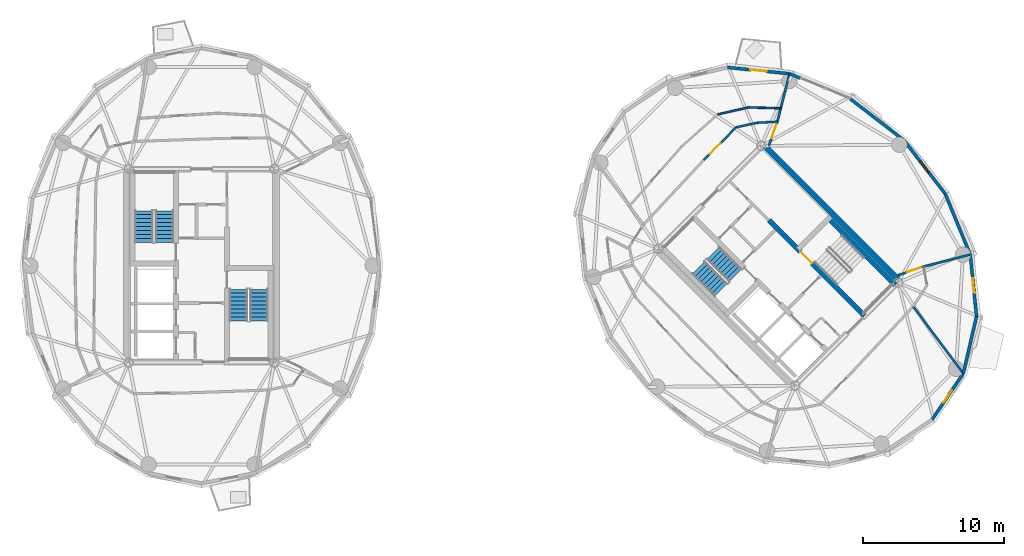
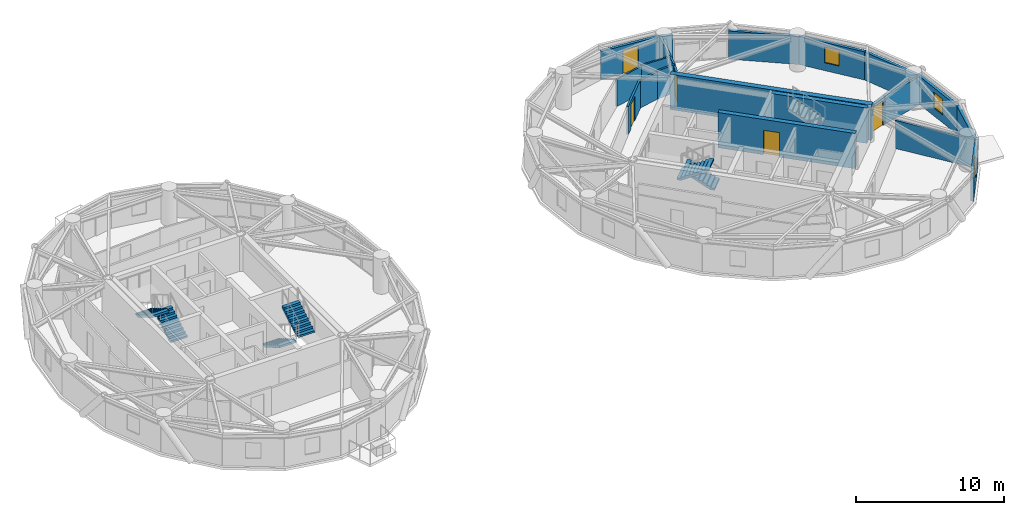
# One storey, part 12 of 16: 21 walls, 6 stair flights, 5 doors, 3 windows, 8 openings, 3 elements without a shape of their own.
"""IFC4 building model written with IfcOpenShell, lengths in metres."""

from ifc_helpers import new_model, si_unit, direction, frame, frame_2d, origin, place, context, subcontext, project, spatial, polyline, rectangle, outline, extrude, source, transform, mapped, material, layer, layer_set, type_object, element, fill, aggregate, save


model = new_model("IFC4")

# Units and contexts
model_context = context("Model", 3, precision=1e-05, world=origin(), true_north=direction((0.0, 1.0)))
body_context = subcontext(model_context, "Body", "Model", "MODEL_VIEW")
ifc_project = project(units=[si_unit("LENGTHUNIT", "METRE"), si_unit("AREAUNIT", "SQUARE_METRE"), si_unit("VOLUMEUNIT", "CUBIC_METRE"), si_unit("PLANEANGLEUNIT", "RADIAN"), si_unit("MASSUNIT", "GRAM", prefix="KILO")], contexts=[model_context])

# Site, building, storey
site_placement = place(None, origin())
site = spatial("IfcSite", under=ifc_project, at=site_placement, CompositionType="ELEMENT")
building_placement = place(site_placement, origin())
building = spatial("IfcBuilding", under=site, at=building_placement, Name="Cununo Teusaquillo Station Towers", CompositionType="ELEMENT")
storey_placement = place(building_placement, frame((0.0, 0.0, 217.030029296875)))
storey = spatial("IfcBuildingStorey", under=building, at=storey_placement, Name="L69", CompositionType="ELEMENT", Elevation=217.030029296875)

# Wall, opening, door
ifc_material_1 = material(Name="Concrete C50/60", Category="concrete")
ifc_layer_1 = layer(ifc_material_1, 0.35009765625)
ifc_layer_set_1 = layer_set([ifc_layer_1], Name="Concrete C50/60")
wall_type_1 = type_object("IfcWallType", Name="WL-CORE-350", PredefinedType="SHEAR", material=ifc_layer_set_1)
wall_1_placement = place(storey_placement, frame((63.627197265625, 20.939697265625, 0.0), z_axis=(0.0, 0.0, 1.0), x_axis=(-0.707119496762, 0.707094065383, 0.0)))
wall_1 = element("IfcWall", 1, at=wall_1_placement, inside=storey, type_object=wall_type_1, Name="L69 Tower B Core Shear Wall IE", PredefinedType="SHEAR", context=body_context, shape_type="SweptSolid", body=[
    extrude(rectangle(XDim=9.60009765625, YDim=0.35009765625, at=frame_2d((4.800048828125, 0.0))), origin(), (0.0, 0.0, 1.0), 2.909912109375),
])
shared_shape_1 = source(origin(), body_context, "Body", "SweptSolid", [
    extrude(rectangle(XDim=1.14990234375, YDim=2.02001953125, at=frame_2d((0.574951171875, 1.010009765625))), frame((0.0, 0.18505859375, 0.0), z_axis=(0.0, -1.0, 0.0), x_axis=(1.0, 0.0, 0.0)), (0.0, 0.0, 1.0), 0.3701171875),
])
opening_1_placement = place(wall_1_placement, frame((5.280029296875, 0.0, 0.0)))
opening_1 = element("IfcOpeningElement", 2, at=opening_1_placement, cuts=wall_1, Name="Opening D-ST1", PredefinedType="OPENING", context=body_context, shape_type="MappedRepresentation", body=[
    mapped(shared_shape_1, transform((0.0, 0.0, 0.0), x_axis=(1.0, 0.0, 0.0), y_axis=(0.0, 1.0, 0.0), z_axis=(0.0, 0.0, 1.0), scale=1.0)),
])
ifc_material_2 = material(Name="Galvanised fire-rated hollow steel door assembly", Category="steel")
door_type_1 = type_object("IfcDoorType", Name="DR-STAIR-1150", OperationType="NOTDEFINED", PredefinedType="DOOR", material=ifc_material_2)
shared_shape_2 = source(origin(), body_context, "Body", "SweptSolid", [
    extrude(rectangle(XDim=1.14990234375, YDim=2.02001953125, at=frame_2d((0.574951171875, 1.010009765625))), frame((0.0, 0.02490234375, 0.0), z_axis=(0.0, -1.0, 0.0), x_axis=(1.0, 0.0, 0.0)), (0.0, 0.0, 1.0), 0.050048828125),
])
door_1_placement = place(opening_1_placement, origin())
door_1 = element("IfcDoor", 3, at=door_1_placement, inside=storey, type_object=door_type_1, Name="L69 Tower B Exit Stair 2 Fire Door", OperationType="SINGLE_SWING_RIGHT", OverallHeight=2.02001953125, OverallWidth=1.14990234375, PredefinedType="DOOR", context=body_context, shape_type="MappedRepresentation", body=[
    mapped(shared_shape_2, transform((0.0, 0.0, 0.0), x_axis=(1.0, 0.0, 0.0), y_axis=(0.0, 1.0, 0.0), z_axis=(0.0, 0.0, 1.0), scale=1.0)),
])
fill(opening_1, door_1)

# Walls
wall_2_placement = place(storey_placement, frame((65.81201171875, 23.124755859375, 0.0), z_axis=(0.0, 0.0, 1.0), x_axis=(-0.707106781187, 0.707106781187, 0.0)))
element("IfcWall", 4, at=wall_2_placement, inside=storey, type_object=wall_type_1, Name="L69 Tower B Core Shear Wall ST2E", PredefinedType="SHEAR", context=body_context, shape_type="SweptSolid", body=[
    extrude(rectangle(XDim=6.695068359375, YDim=0.35009765625, at=frame_2d((3.34765625, 0.0))), origin(), (0.0, 0.0, 1.0), 2.909912109375),
])
ifc_material_3 = material(Name="Concrete C50/60", Category="concrete")
ifc_layer_2 = layer(ifc_material_3, 0.39990234375)
ifc_layer_set_2 = layer_set([ifc_layer_2], Name="Concrete C50/60")
wall_type_2 = type_object("IfcWallType", Name="WL-CORE-400", PredefinedType="SHEAR", material=ifc_layer_set_2)
wall_3_placement = place(storey_placement, frame((66.26806640625, 23.2978515625, 0.0), z_axis=(0.0, 0.0, 1.0), x_axis=(-0.707106781187, 0.707106781187, 0.0)))
element("IfcWall", 5, at=wall_3_placement, inside=storey, type_object=wall_type_2, Name="L69 Tower B Core Shear Wall E", PredefinedType="SHEAR", context=body_context, shape_type="SweptSolid", body=[
    extrude(rectangle(XDim=14.10009765625, YDim=0.39990234375, at=frame_2d((7.050048828125, 0.0))), origin(), (0.0, 0.0, 1.0), 2.909912109375),
])
ifc_material_4 = material(Name="Precast concrete C40/50", Category="concrete")
ifc_layer_3 = layer(ifc_material_4, 0.219970703125)
ifc_layer_set_3 = layer_set([ifc_layer_3], Name="Precast concrete C40/50")
wall_type_3 = type_object("IfcWallType", Name="WL-EXT-220", PredefinedType="SOLIDWALL", material=ifc_layer_set_3)
wall_4_placement = place(storey_placement, frame((62.61328125, 36.373779296875, 0.0), z_axis=(0.0, 0.0, 1.0), x_axis=(0.791998462147, -0.610523083886, 0.0)))
element("IfcWall", 6, at=wall_4_placement, inside=storey, type_object=wall_type_3, Name="L69 Tower B Exterior Facade Wall C00", PredefinedType="SOLIDWALL", context=body_context, shape_type="SweptSolid", body=[
    extrude(rectangle(XDim=4.8203125, YDim=0.219970703125, at=frame_2d((2.41015625, 0.0))), origin(), (0.0, 0.0, 1.0), 2.322021484375),
])
wall_5_placement = place(storey_placement, frame((58.29541015625, 38.15478515625, 0.0), z_axis=(0.0, 0.0, 1.0), x_axis=(0.924515260676, -0.381145028536, 0.0)))
element("IfcWall", 7, at=wall_5_placement, inside=storey, type_object=wall_type_3, Name="L69 Tower B Column Pier Cladding Wall C01-PA", PredefinedType="SOLIDWALL", context=body_context, shape_type="SweptSolid", body=[
    extrude(rectangle(XDim=0.869873046875, YDim=0.219970703125, at=frame_2d((0.43505859375, 0.0))), origin(), (0.0, 0.0, 1.0), 2.322021484375),
])

# Wall, opening, door
wall_6_placement = place(storey_placement, frame((53.899658203125, 38.59912109375, 0.0), z_axis=(0.0, 0.0, 1.0), x_axis=(0.994929930991, -0.100570534541, 0.0)))
wall_6 = element("IfcWall", 8, at=wall_6_placement, inside=storey, type_object=wall_type_3, Name="L69 Tower B Exterior Facade Wall C02", PredefinedType="SOLIDWALL", context=body_context, shape_type="SweptSolid", body=[
    extrude(rectangle(XDim=4.418212890625, YDim=0.219970703125, at=frame_2d((2.208984375, 0.0))), origin(), (0.0, 0.0, 1.0), 2.322021484375),
])
shared_shape_3 = source(origin(), body_context, "Body", "SweptSolid", [
    extrude(rectangle(XDim=1.14990234375, YDim=2.0048828125, at=frame_2d((0.574951171875, 1.00244140625))), frame((0.0, 0.119873046875, 0.0), z_axis=(0.0, -1.0, 0.0), x_axis=(1.0, 0.0, 0.0)), (0.0, 0.0, 1.0), 0.239990234375),
])
opening_2_placement = place(wall_6_placement, frame((1.634033203125, 0.0, 0.0)))
opening_2 = element("IfcOpeningElement", 9, at=opening_2_placement, cuts=wall_6, Name="Opening ED-03", PredefinedType="OPENING", context=body_context, shape_type="MappedRepresentation", body=[
    mapped(shared_shape_3, transform((0.0, 0.0, 0.0), x_axis=(1.0, 0.0, 0.0), y_axis=(0.0, 1.0, 0.0), z_axis=(0.0, 0.0, 1.0), scale=1.0)),
])
ifc_material_5 = material(Name="Anodised dark bronze aluminium EN AW-6063-T6", Category="aluminium")
door_type_2 = type_object("IfcDoorType", Name="DR-EXT-BAL", OperationType="NOTDEFINED", PredefinedType="DOOR", material=ifc_material_5)
shared_shape_4 = source(origin(), body_context, "Body", "SweptSolid", [
    extrude(rectangle(XDim=1.14990234375, YDim=2.0048828125, at=frame_2d((0.574951171875, 1.00244140625))), frame((0.0, 0.02490234375, 0.0), z_axis=(0.0, -1.0, 0.0), x_axis=(1.0, 0.0, 0.0)), (0.0, 0.0, 1.0), 0.050048828125),
])
door_2_placement = place(opening_2_placement, origin())
door_2 = element("IfcDoor", 10, at=door_2_placement, inside=storey, type_object=door_type_2, Name="L69 Tower B Tree Balcony Door C02", OperationType="SINGLE_SWING_LEFT", OverallHeight=2.0048828125, OverallWidth=1.14990234375, PredefinedType="DOOR", context=body_context, shape_type="MappedRepresentation", body=[
    mapped(shared_shape_4, transform((0.0, 0.0, 0.0), x_axis=(1.0, 0.0, 0.0), y_axis=(0.0, 1.0, 0.0), z_axis=(0.0, 0.0, 1.0), scale=1.0)),
])
fill(opening_2, door_2)

# Wall, opening, window
wall_7_placement = place(storey_placement, frame((70.663330078125, 16.856201171875, 0.0), z_axis=(0.0, 0.0, 1.0), x_axis=(-0.559495003079, -0.828833723692, 0.0)))
wall_7 = element("IfcWall", 11, at=wall_7_placement, inside=storey, type_object=wall_type_3, Name="L69 Tower B Exterior Facade Wall C15", PredefinedType="SOLIDWALL", context=body_context, shape_type="SweptSolid", body=[
    extrude(rectangle(XDim=3.9755859375, YDim=0.219970703125, at=frame_2d((1.98779296875, 0.0))), origin(), (0.0, 0.0, 1.0), 2.322021484375),
])
shared_shape_5 = source(origin(), body_context, "Body", "SweptSolid", [
    extrude(rectangle(XDim=1.050048828125, YDim=1.300048828125, at=frame_2d((0.52490234375, 0.64990234375))), frame((0.0, 0.119873046875, 0.0), z_axis=(0.0, -1.0, 0.0), x_axis=(1.0, 0.0, 0.0)), (0.0, 0.0, 1.0), 0.239990234375),
])
opening_3_placement = place(wall_7_placement, frame((1.462890625, 0.0, 0.64990234375)))
opening_3 = element("IfcOpeningElement", 12, at=opening_3_placement, cuts=wall_7, Name="Opening WN-04", PredefinedType="OPENING", context=body_context, shape_type="MappedRepresentation", body=[
    mapped(shared_shape_5, transform((0.0, 0.0, 0.0), x_axis=(1.0, 0.0, 0.0), y_axis=(0.0, 1.0, 0.0), z_axis=(0.0, 0.0, 1.0), scale=1.0)),
])
ifc_material_6 = material(Name="Operable acoustic tinted low-E double glazing", Category="glass")
window_type = type_object("IfcWindowType", Name="WIN-BAL-1050", PartitioningType="SINGLE_PANEL", PredefinedType="WINDOW", material=ifc_material_6)
shared_shape_6 = source(origin(), body_context, "Body", "SweptSolid", [
    extrude(rectangle(XDim=1.050048828125, YDim=1.300048828125, at=frame_2d((0.52490234375, 0.64990234375))), frame((0.0, 0.030029296875, 0.0), z_axis=(0.0, -1.0, 0.0), x_axis=(1.0, 0.0, 0.0)), (0.0, 0.0, 1.0), 0.06005859375),
])
window_1_placement = place(opening_3_placement, origin())
window_1 = element("IfcWindow", 13, at=window_1_placement, inside=storey, type_object=window_type, Name="L69 Tower B Facade Window C15", OverallHeight=1.300048828125, OverallWidth=1.050048828125, PartitioningType="SINGLE_PANEL", PredefinedType="WINDOW", context=body_context, shape_type="MappedRepresentation", body=[
    mapped(shared_shape_6, transform((0.0, 0.0, 0.0), x_axis=(1.0, 0.0, 0.0), y_axis=(0.0, 1.0, 0.0), z_axis=(0.0, 0.0, 1.0), scale=1.0)),
])
fill(opening_3, window_1)

# Wall
wall_8_placement = place(storey_placement, frame((71.59912109375, 20.899658203125, 0.0), z_axis=(0.0, 0.0, 1.0), x_axis=(-0.225473813158, -0.974249228678, 0.0)))
element("IfcWall", 14, at=wall_8_placement, inside=storey, type_object=wall_type_3, Name="L69 Tower B Exterior Facade Wall C16", PredefinedType="SOLIDWALL", context=body_context, shape_type="SweptSolid", body=[
    extrude(rectangle(XDim=4.150390625, YDim=0.219970703125, at=frame_2d((2.0751953125, 0.0))), origin(), (0.0, 0.0, 1.0), 2.322021484375),
])

# Wall, opening, window
wall_9_placement = place(storey_placement, frame((71.15478515625, 25.29541015625, 0.0), z_axis=(0.0, 0.0, 1.0), x_axis=(0.100570534541, -0.994929930991, 0.0)))
wall_9 = element("IfcWall", 15, at=wall_9_placement, inside=storey, type_object=wall_type_3, Name="L69 Tower B Exterior Facade Wall C17", PredefinedType="SOLIDWALL", context=body_context, shape_type="SweptSolid", body=[
    extrude(rectangle(XDim=4.418212890625, YDim=0.219970703125, at=frame_2d((2.208984375, 0.0))), origin(), (0.0, 0.0, 1.0), 2.322021484375),
])
opening_4_placement = place(wall_9_placement, frame((1.68408203125, 0.0, 0.64990234375)))
opening_4 = element("IfcOpeningElement", 16, at=opening_4_placement, cuts=wall_9, Name="Opening WN-04", PredefinedType="OPENING", context=body_context, shape_type="MappedRepresentation", body=[
    mapped(shared_shape_5, transform((0.0, 0.0, 0.0), x_axis=(1.0, 0.0, 0.0), y_axis=(0.0, 1.0, 0.0), z_axis=(0.0, 0.0, 1.0), scale=1.0)),
])
window_2_placement = place(opening_4_placement, origin())
window_2 = element("IfcWindow", 17, at=window_2_placement, inside=storey, type_object=window_type, Name="L69 Tower B Facade Window C17", OverallHeight=1.300048828125, OverallWidth=1.050048828125, PartitioningType="SINGLE_PANEL", PredefinedType="WINDOW", context=body_context, shape_type="MappedRepresentation", body=[
    mapped(shared_shape_6, transform((0.0, 0.0, 0.0), x_axis=(1.0, 0.0, 0.0), y_axis=(0.0, 1.0, 0.0), z_axis=(0.0, 0.0, 1.0), scale=1.0)),
])
fill(opening_4, window_2)

# Wall
wall_10_placement = place(storey_placement, frame((69.373779296875, 29.61328125, 0.0), z_axis=(0.0, 0.0, 1.0), x_axis=(0.381309704956, -0.924447353237, 0.0)))
element("IfcWall", 18, at=wall_10_placement, inside=storey, type_object=wall_type_3, Name="L69 Tower B Exterior Facade Wall C18", PredefinedType="SOLIDWALL", context=body_context, shape_type="SweptSolid", body=[
    extrude(rectangle(XDim=4.670654296875, YDim=0.219970703125, at=frame_2d((2.33544921875, 0.0))), origin(), (0.0, 0.0, 1.0), 2.322021484375),
])

# Wall, opening, window
wall_11_placement = place(storey_placement, frame((66.430908203125, 33.430908203125, 0.0), z_axis=(0.0, 0.0, 1.0), x_axis=(0.610523083886, -0.791998462147, 0.0)))
wall_11 = element("IfcWall", 19, at=wall_11_placement, inside=storey, type_object=wall_type_3, Name="L69 Tower B Exterior Facade Wall C19", PredefinedType="SOLIDWALL", context=body_context, shape_type="SweptSolid", body=[
    extrude(rectangle(XDim=4.8203125, YDim=0.219970703125, at=frame_2d((2.41015625, 0.0))), origin(), (0.0, 0.0, 1.0), 2.322021484375),
])
opening_5_placement = place(wall_11_placement, frame((1.885009765625, 0.0, 0.64990234375)))
opening_5 = element("IfcOpeningElement", 20, at=opening_5_placement, cuts=wall_11, Name="Opening WN-04", PredefinedType="OPENING", context=body_context, shape_type="MappedRepresentation", body=[
    mapped(shared_shape_5, transform((0.0, 0.0, 0.0), x_axis=(1.0, 0.0, 0.0), y_axis=(0.0, 1.0, 0.0), z_axis=(0.0, 0.0, 1.0), scale=1.0)),
])
window_3_placement = place(opening_5_placement, origin())
window_3 = element("IfcWindow", 21, at=window_3_placement, inside=storey, type_object=window_type, Name="L69 Tower B Facade Window C19", OverallHeight=1.300048828125, OverallWidth=1.050048828125, PartitioningType="SINGLE_PANEL", PredefinedType="WINDOW", context=body_context, shape_type="MappedRepresentation", body=[
    mapped(shared_shape_6, transform((0.0, 0.0, 0.0), x_axis=(1.0, 0.0, 0.0), y_axis=(0.0, 1.0, 0.0), z_axis=(0.0, 0.0, 1.0), scale=1.0)),
])
fill(opening_5, window_3)

# Walls
ifc_material_7 = material(Name="Fire-rated gypsum plasterboard partition assembly", Category="gypsum")
ifc_layer_4 = layer(ifc_material_7, 0.125)
ifc_layer_set_4 = layer_set([ifc_layer_4], Name="Fire-rated gypsum plasterboard partition assembly")
wall_type_4 = type_object("IfcWallType", Name="WL-PART-125", PredefinedType="PARTITIONING", material=ifc_layer_set_4)
wall_12_placement = place(storey_placement, frame((57.678955078125, 35.693359375, 0.0), z_axis=(0.0, 0.0, 1.0), x_axis=(-0.999526298938, 0.030776252722, 0.0)))
element("IfcWall", 22, at=wall_12_placement, inside=storey, type_object=wall_type_4, Name="L69 Tower B Summit Champagne & Dining Salon Concentric Partition Wall C02", PredefinedType="PARTITIONING", context=body_context, shape_type="SweptSolid", body=[
    extrude(rectangle(XDim=2.2607421875, YDim=0.125, at=frame_2d((1.13037109375, 0.0))), origin(), (0.0, 0.0, 1.0), 2.322021484375),
])
wall_13_placement = place(storey_placement, frame((55.419189453125, 35.762939453125, 0.0), z_axis=(0.0, 0.0, 1.0), x_axis=(-0.975917771425, -0.218138725166, 0.0)))
element("IfcWall", 23, at=wall_13_placement, inside=storey, type_object=wall_type_4, Name="L69 Tower B Summit Champagne & Dining Salon Concentric Partition Wall C03", PredefinedType="PARTITIONING", context=body_context, shape_type="SweptSolid", body=[
    extrude(rectangle(XDim=2.267578125, YDim=0.125, at=frame_2d((1.1337890625, 0.0))), origin(), (0.0, 0.0, 1.0), 2.2548828125),
])
ifc_material_8 = material(Name="Fire-rated gypsum plasterboard partition assembly", Category="gypsum")
ifc_layer_5 = layer(ifc_material_8, 0.14990234375)
ifc_layer_set_5 = layer_set([ifc_layer_5], Name="Fire-rated gypsum plasterboard partition assembly")
wall_type_5 = type_object("IfcWallType", Name="WL-PART-150", PredefinedType="PARTITIONING", material=ifc_layer_set_5)
wall_14_placement = place(storey_placement, frame((57.4404296875, 34.743896484375, 0.0), z_axis=(0.0, 0.0, 1.0), x_axis=(-0.998578025565, -0.053309725738, 0.0)))
element("IfcWall", 24, at=wall_14_placement, inside=storey, type_object=wall_type_5, Name="L69 Tower B Corridor Ring Wall C02", PredefinedType="PARTITIONING", context=body_context, shape_type="SweptSolid", body=[
    extrude(rectangle(XDim=1.433349609375, YDim=0.14990234375, at=frame_2d((0.716796875, 0.0))), origin(), (0.0, 0.0, 1.0), 2.322021484375),
])
wall_15_placement = place(storey_placement, frame((56.009033203125, 34.66748046875, 0.0), z_axis=(0.0, 0.0, 1.0), x_axis=(-0.977625498152, -0.210353001795, 0.0)))
element("IfcWall", 25, at=wall_15_placement, inside=storey, type_object=wall_type_5, Name="L69 Tower B Corridor Ring Wall C03", PredefinedType="PARTITIONING", context=body_context, shape_type="SweptSolid", body=[
    extrude(rectangle(XDim=1.537841796875, YDim=0.14990234375, at=frame_2d((0.76904296875, 0.0))), origin(), (0.0, 0.0, 1.0), 2.2548828125),
])

# Wall, opening, door
wall_16_placement = place(storey_placement, frame((54.505615234375, 34.343994140625, 0.0), z_axis=(0.0, 0.0, 1.0), x_axis=(-0.703053402247, -0.711137056824, 0.0)))
wall_16 = element("IfcWall", 26, at=wall_16_placement, inside=storey, type_object=wall_type_5, Name="L69 Tower B Corridor Ring Wall C04", PredefinedType="PARTITIONING", context=body_context, shape_type="SweptSolid", body=[
    extrude(rectangle(XDim=3.26171875, YDim=0.14990234375, at=frame_2d((1.630859375, 0.0))), origin(), (0.0, 0.0, 1.0), 2.322021484375),
])
shared_shape_7 = source(origin(), body_context, "Body", "SweptSolid", [
    extrude(rectangle(XDim=1.050048828125, YDim=2.014892578125, at=frame_2d((0.52490234375, 1.00732421875))), frame((0.0, 0.0849609375, 0.0), z_axis=(0.0, -1.0, 0.0), x_axis=(1.0, 0.0, 0.0)), (0.0, 0.0, 1.0), 0.169921875),
])
opening_6_placement = place(wall_16_placement, frame((1.598876953125, 0.0, 0.0)))
opening_6 = element("IfcOpeningElement", 27, at=opening_6_placement, cuts=wall_16, Name="Opening D-SU1", PredefinedType="OPENING", context=body_context, shape_type="MappedRepresentation", body=[
    mapped(shared_shape_7, transform((0.0, 0.0, 0.0), x_axis=(1.0, 0.0, 0.0), y_axis=(0.0, 1.0, 0.0), z_axis=(0.0, 0.0, 1.0), scale=1.0)),
])
ifc_material_9 = material(Name="Acoustic solid-core hardwood leaf assembly", Category="wood")
door_type_3 = type_object("IfcDoorType", Name="DR-SUITE-1050", OperationType="NOTDEFINED", PredefinedType="DOOR", material=ifc_material_9)
shared_shape_8 = source(origin(), body_context, "Body", "SweptSolid", [
    extrude(rectangle(XDim=1.050048828125, YDim=2.014892578125, at=frame_2d((0.52490234375, 1.00732421875))), frame((0.0, 0.02490234375, 0.0), z_axis=(0.0, -1.0, 0.0), x_axis=(1.0, 0.0, 0.0)), (0.0, 0.0, 1.0), 0.050048828125),
])
door_3_placement = place(opening_6_placement, origin())
door_3 = element("IfcDoor", 28, at=door_3_placement, inside=storey, type_object=door_type_3, Name="L69 Tower B Summit Champagne & Dining Salon Entrance Door", OperationType="SINGLE_SWING_RIGHT", OverallHeight=2.014892578125, OverallWidth=1.050048828125, PredefinedType="DOOR", context=body_context, shape_type="MappedRepresentation", body=[
    mapped(shared_shape_8, transform((0.0, 0.0, 0.0), x_axis=(1.0, 0.0, 0.0), y_axis=(0.0, 1.0, 0.0), z_axis=(0.0, 0.0, 1.0), scale=1.0)),
])
fill(opening_6, door_3)

# Walls
ifc_material_10 = material(Name="Fire-rated gypsum plasterboard partition assembly", Category="gypsum")
ifc_layer_6 = layer(ifc_material_10, 0.159912109375)
ifc_layer_set_6 = layer_set([ifc_layer_6], Name="Fire-rated gypsum plasterboard partition assembly")
wall_type_6 = type_object("IfcWallType", Name="WL-PART-160", PredefinedType="PARTITIONING", material=ifc_layer_set_6)
wall_17_placement = place(storey_placement, frame((57.4404296875, 34.743896484375, 0.0), z_axis=(0.0, 0.0, 1.0), x_axis=(0.243619816457, 0.969870808422, 0.0)))
element("IfcWall", 29, at=wall_17_placement, inside=storey, type_object=wall_type_6, Name="L69 Tower B Radial Suite Partition R01", PredefinedType="PARTITIONING", context=body_context, shape_type="SweptSolid", body=[
    extrude(rectangle(XDim=3.496337890625, YDim=0.159912109375, at=frame_2d((1.748046875, 0.0))), origin(), (0.0, 0.0, 1.0), 2.322021484375),
])
wall_18_placement = place(storey_placement, frame((67.09521484375, 21.599609375, 0.0), z_axis=(0.0, 0.0, 1.0), x_axis=(0.599947190798, -0.800039604178, 0.0)))
element("IfcWall", 30, at=wall_18_placement, inside=storey, type_object=wall_type_6, Name="L69 Tower B Radial Suite Partition R05", PredefinedType="PARTITIONING", context=body_context, shape_type="SweptSolid", body=[
    extrude(rectangle(XDim=5.917724609375, YDim=0.159912109375, at=frame_2d((2.958984375, 0.0))), origin(), (0.0, 0.0, 1.0), 2.322021484375),
])
wall_19_placement = place(storey_placement, frame((67.84326171875, 24.443115234375, 0.0), z_axis=(0.0, 0.0, 1.0), x_axis=(0.968303102463, 0.249778105048, 0.0)))
element("IfcWall", 31, at=wall_19_placement, inside=storey, type_object=wall_type_6, Name="L69 Tower B Radial Suite Partition R06", PredefinedType="PARTITIONING", context=body_context, shape_type="SweptSolid", body=[
    extrude(rectangle(XDim=3.3994140625, YDim=0.159912109375, at=frame_2d((1.69970703125, 0.0))), origin(), (0.0, 0.0, 1.0), 2.322021484375),
])

# Wall, opening, door
wall_20_placement = place(storey_placement, frame((56.828125, 33.0205078125, 0.0), z_axis=(0.0, 0.0, 1.0), x_axis=(0.334788446034, 0.942293317605, 0.0)))
wall_20 = element("IfcWall", 32, at=wall_20_placement, inside=storey, type_object=wall_type_6, Name="L69 Tower B East Salon Corridor Portal Wall NE", PredefinedType="PARTITIONING", context=body_context, shape_type="SweptSolid", body=[
    extrude(rectangle(XDim=1.828857421875, YDim=0.159912109375, at=frame_2d((0.91455078125, 0.0))), origin(), (0.0, 0.0, 1.0), 2.2548828125),
])
shared_shape_9 = source(origin(), body_context, "Body", "SweptSolid", [
    extrude(rectangle(XDim=1.050048828125, YDim=2.014892578125, at=frame_2d((0.52490234375, 1.00732421875))), frame((0.0, 0.08984375, 0.0), z_axis=(0.0, -1.0, 0.0), x_axis=(1.0, 0.0, 0.0)), (0.0, 0.0, 1.0), 0.179931640625),
])
opening_7_placement = place(wall_20_placement, frame((0.578857421875, 0.0, 0.0)))
opening_7 = element("IfcOpeningElement", 33, at=opening_7_placement, cuts=wall_20, Name="Opening D-SU1", PredefinedType="OPENING", context=body_context, shape_type="MappedRepresentation", body=[
    mapped(shared_shape_9, transform((0.0, 0.0, 0.0), x_axis=(1.0, 0.0, 0.0), y_axis=(0.0, 1.0, 0.0), z_axis=(0.0, 0.0, 1.0), scale=1.0)),
])
door_4_placement = place(opening_7_placement, origin())
door_4 = element("IfcDoor", 34, at=door_4_placement, inside=storey, type_object=door_type_3, Name="L69 Tower B East Panorama Sky Salon Door NE", OperationType="SINGLE_SWING_RIGHT", OverallHeight=2.014892578125, OverallWidth=1.050048828125, PredefinedType="DOOR", context=body_context, shape_type="MappedRepresentation", body=[
    mapped(shared_shape_8, transform((0.0, 0.0, 0.0), x_axis=(1.0, 0.0, 0.0), y_axis=(0.0, 1.0, 0.0), z_axis=(0.0, 0.0, 1.0), scale=1.0)),
])
fill(opening_7, door_4)

wall_21_placement = place(storey_placement, frame((66.0205078125, 23.828125, 0.0), z_axis=(0.0, 0.0, 1.0), x_axis=(0.947522075691, 0.319690344049, 0.0)))
wall_21 = element("IfcWall", 35, at=wall_21_placement, inside=storey, type_object=wall_type_6, Name="L69 Tower B East Salon Corridor Portal Wall SE", PredefinedType="PARTITIONING", context=body_context, shape_type="SweptSolid", body=[
    extrude(rectangle(XDim=1.923583984375, YDim=0.159912109375, at=frame_2d((0.9619140625, 0.0))), origin(), (0.0, 0.0, 1.0), 2.2548828125),
])
opening_8_placement = place(wall_21_placement, frame((0.673583984375, 0.0, 0.0)))
opening_8 = element("IfcOpeningElement", 36, at=opening_8_placement, cuts=wall_21, Name="Opening D-SU1", PredefinedType="OPENING", context=body_context, shape_type="MappedRepresentation", body=[
    mapped(shared_shape_9, transform((0.0, 0.0, 0.0), x_axis=(1.0, 0.0, 0.0), y_axis=(0.0, 1.0, 0.0), z_axis=(0.0, 0.0, 1.0), scale=1.0)),
])
door_5_placement = place(opening_8_placement, origin())
door_5 = element("IfcDoor", 37, at=door_5_placement, inside=storey, type_object=door_type_3, Name="L69 Tower B East Panorama Sky Salon Door SE", OperationType="SINGLE_SWING_LEFT", OverallHeight=2.014892578125, OverallWidth=1.050048828125, PredefinedType="DOOR", context=body_context, shape_type="MappedRepresentation", body=[
    mapped(shared_shape_8, transform((0.0, 0.0, 0.0), x_axis=(1.0, 0.0, 0.0), y_axis=(0.0, 1.0, 0.0), z_axis=(0.0, 0.0, 1.0), scale=1.0)),
])
fill(opening_8, door_5)

# Stair, stair flights
ifc_material_11 = material(Name="Concrete C50/60", Category="concrete")
stair_type = type_object("IfcStairType", Name="ST-TWR-1300", PredefinedType="HALF_TURN_STAIR", material=ifc_material_11)
stair_1_placement = place(storey_placement, origin())
stair_1 = element("IfcStair", 38, at=stair_1_placement, inside=storey, type_object=stair_type, Name="L69 Tower A Protected Core Exit Stair 1", PredefinedType="HALF_TURN_STAIR")
ifc_material_12 = material(Name="Concrete C50/60", Category="concrete")
stair_flight_type = type_object("IfcStairFlightType", Name="SFL-TWR-1300", PredefinedType="STRAIGHT", material=ifc_material_12)
stair_flight_1_placement = place(storey_placement, frame((13.8701171875, 26.169921875, 0.0), z_axis=(0.0, 0.0, 1.0), x_axis=(0.0, 1.0, 0.0)))
stair_flight_1 = element("IfcStairFlight", 39, at=stair_flight_1_placement, type_object=stair_flight_type, Name="ST-T1-1 flight 1", NumberOfRisers=9, NumberOfTreads=8, PredefinedType="STRAIGHT", RiserHeight=0.161666667, TreadLength=0.28, context=body_context, shape_type="SweptSolid", body=[
    extrude(outline(polyline([(0.0, 0.0), (0.0, 0.16162109375), (0.280029296875, 0.16162109375), (0.280029296875, 0.3232421875), (0.56005859375, 0.3232421875), (0.56005859375, 0.485107421875), (0.840087890625, 0.485107421875), (0.840087890625, 0.646728515625), (1.1201171875, 0.646728515625), (1.1201171875, 0.808349609375), (1.39990234375, 0.808349609375), (1.39990234375, 0.969970703125), (1.679931640625, 0.969970703125), (1.679931640625, 1.131591796875), (1.9599609375, 1.131591796875), (1.9599609375, 1.293212890625), (2.239990234375, 1.293212890625), (2.239990234375, 1.455078125), (2.239990234375, 1.1201171875), (0.2998046875, 0.0), (0.0, 0.0)])), frame((0.0, 0.64990234375, 0.0), z_axis=(0.0, -1.0, 0.0), x_axis=(1.0, 0.0, 0.0)), (0.0, 0.0, 1.0), 1.300048828125),
])
stair_flight_2_placement = place(storey_placement, frame((12.409912109375, 28.409912109375, 1.455078125), z_axis=(0.0, 0.0, 1.0), x_axis=(0.0, -1.0, 0.0)))
stair_flight_2 = element("IfcStairFlight", 40, at=stair_flight_2_placement, type_object=stair_flight_type, Name="ST-T1-1 flight 2", NumberOfRisers=9, NumberOfTreads=8, PredefinedType="STRAIGHT", RiserHeight=0.161666667, TreadLength=0.28, context=body_context, shape_type="SweptSolid", body=[
    extrude(outline(polyline([(0.0, 0.0), (0.0, 0.16162109375), (0.280029296875, 0.16162109375), (0.280029296875, 0.3232421875), (0.56005859375, 0.3232421875), (0.56005859375, 0.485107421875), (0.840087890625, 0.485107421875), (0.840087890625, 0.646728515625), (1.1201171875, 0.646728515625), (1.1201171875, 0.808349609375), (1.39990234375, 0.808349609375), (1.39990234375, 0.969970703125), (1.679931640625, 0.969970703125), (1.679931640625, 1.131591796875), (1.9599609375, 1.131591796875), (1.9599609375, 1.293212890625), (2.239990234375, 1.293212890625), (2.239990234375, 1.455078125), (2.239990234375, 1.1201171875), (0.2998046875, 0.0), (0.0, 0.0)])), frame((0.0, 0.64990234375, 0.0), z_axis=(0.0, -1.0, 0.0), x_axis=(1.0, 0.0, 0.0)), (0.0, 0.0, 1.0), 1.300048828125),
])
aggregate(stair_1, [stair_flight_1, stair_flight_2])

stair_2_placement = place(storey_placement, origin())
stair_2 = element("IfcStair", 41, at=stair_2_placement, inside=storey, type_object=stair_type, Name="L69 Tower A Protected Core Exit Stair 2", PredefinedType="HALF_TURN_STAIR")
stair_flight_3_placement = place(storey_placement, frame((19.1298828125, 22.830078125, 0.0), z_axis=(0.0, 0.0, 1.0), x_axis=(0.0, -1.0, 0.0)))
stair_flight_3 = element("IfcStairFlight", 42, at=stair_flight_3_placement, type_object=stair_flight_type, Name="ST-T1-2 flight 1", NumberOfRisers=9, NumberOfTreads=8, PredefinedType="STRAIGHT", RiserHeight=0.161666667, TreadLength=0.28, context=body_context, shape_type="SweptSolid", body=[
    extrude(outline(polyline([(0.0, 0.0), (0.0, 0.16162109375), (0.280029296875, 0.16162109375), (0.280029296875, 0.3232421875), (0.56005859375, 0.3232421875), (0.56005859375, 0.485107421875), (0.840087890625, 0.485107421875), (0.840087890625, 0.646728515625), (1.1201171875, 0.646728515625), (1.1201171875, 0.808349609375), (1.39990234375, 0.808349609375), (1.39990234375, 0.969970703125), (1.679931640625, 0.969970703125), (1.679931640625, 1.131591796875), (1.9599609375, 1.131591796875), (1.9599609375, 1.293212890625), (2.239990234375, 1.293212890625), (2.239990234375, 1.455078125), (2.239990234375, 1.1201171875), (0.2998046875, 0.0), (0.0, 0.0)])), frame((0.0, 0.64990234375, 0.0), z_axis=(0.0, -1.0, 0.0), x_axis=(1.0, 0.0, 0.0)), (0.0, 0.0, 1.0), 1.300048828125),
])
stair_flight_4_placement = place(storey_placement, frame((20.590087890625, 20.590087890625, 1.455078125), z_axis=(0.0, 0.0, 1.0), x_axis=(0.0, 1.0, 0.0)))
stair_flight_4 = element("IfcStairFlight", 43, at=stair_flight_4_placement, type_object=stair_flight_type, Name="ST-T1-2 flight 2", NumberOfRisers=9, NumberOfTreads=8, PredefinedType="STRAIGHT", RiserHeight=0.161666667, TreadLength=0.28, context=body_context, shape_type="SweptSolid", body=[
    extrude(outline(polyline([(0.0, 0.0), (0.0, 0.16162109375), (0.280029296875, 0.16162109375), (0.280029296875, 0.3232421875), (0.56005859375, 0.3232421875), (0.56005859375, 0.485107421875), (0.840087890625, 0.485107421875), (0.840087890625, 0.646728515625), (1.1201171875, 0.646728515625), (1.1201171875, 0.808349609375), (1.39990234375, 0.808349609375), (1.39990234375, 0.969970703125), (1.679931640625, 0.969970703125), (1.679931640625, 1.131591796875), (1.9599609375, 1.131591796875), (1.9599609375, 1.293212890625), (2.239990234375, 1.293212890625), (2.239990234375, 1.455078125), (2.239990234375, 1.1201171875), (0.2998046875, 0.0), (0.0, 0.0)])), frame((0.0, 0.64990234375, 0.0), z_axis=(0.0, -1.0, 0.0), x_axis=(1.0, 0.0, 0.0)), (0.0, 0.0, 1.0), 1.300048828125),
])
aggregate(stair_2, [stair_flight_3, stair_flight_4])

stair_3_placement = place(storey_placement, origin())
stair_3 = element("IfcStair", 44, at=stair_3_placement, inside=storey, type_object=stair_type, Name="L69 Tower B Protected Core Exit Stair 1", PredefinedType="HALF_TURN_STAIR")
stair_flight_5_placement = place(storey_placement, frame((54.45947265625, 23.8212890625, 0.0), z_axis=(0.0, 0.0, 1.0), x_axis=(-0.707106781187, 0.707106781187, 0.0)))
stair_flight_5 = element("IfcStairFlight", 45, at=stair_flight_5_placement, type_object=stair_flight_type, Name="ST-T2-1 flight 1", NumberOfRisers=9, NumberOfTreads=8, PredefinedType="STRAIGHT", RiserHeight=0.161666667, TreadLength=0.28, context=body_context, shape_type="SweptSolid", body=[
    extrude(outline(polyline([(0.0, 0.0), (0.0, 0.16162109375), (0.280029296875, 0.16162109375), (0.280029296875, 0.3232421875), (0.56005859375, 0.3232421875), (0.56005859375, 0.485107421875), (0.840087890625, 0.485107421875), (0.840087890625, 0.646728515625), (1.1201171875, 0.646728515625), (1.1201171875, 0.808349609375), (1.39990234375, 0.808349609375), (1.39990234375, 0.969970703125), (1.679931640625, 0.969970703125), (1.679931640625, 1.131591796875), (1.9599609375, 1.131591796875), (1.9599609375, 1.293212890625), (2.239990234375, 1.293212890625), (2.239990234375, 1.455078125), (2.239990234375, 1.1201171875), (0.2998046875, 0.0), (0.0, 0.0)])), frame((0.0, 0.64990234375, 0.0), z_axis=(0.0, -1.0, 0.0), x_axis=(1.0, 0.0, 0.0)), (0.0, 0.0, 1.0), 1.300048828125),
])
stair_flight_6_placement = place(storey_placement, frame((51.84326171875, 24.372802734375, 1.455078125), z_axis=(0.0, 0.0, 1.0), x_axis=(0.707106781187, -0.707106781187, 0.0)))
stair_flight_6 = element("IfcStairFlight", 46, at=stair_flight_6_placement, type_object=stair_flight_type, Name="ST-T2-1 flight 2", NumberOfRisers=9, NumberOfTreads=8, PredefinedType="STRAIGHT", RiserHeight=0.161666667, TreadLength=0.28, context=body_context, shape_type="SweptSolid", body=[
    extrude(outline(polyline([(0.0, 0.0), (0.0, 0.16162109375), (0.280029296875, 0.16162109375), (0.280029296875, 0.3232421875), (0.56005859375, 0.3232421875), (0.56005859375, 0.485107421875), (0.840087890625, 0.485107421875), (0.840087890625, 0.646728515625), (1.1201171875, 0.646728515625), (1.1201171875, 0.808349609375), (1.39990234375, 0.808349609375), (1.39990234375, 0.969970703125), (1.679931640625, 0.969970703125), (1.679931640625, 1.131591796875), (1.9599609375, 1.131591796875), (1.9599609375, 1.293212890625), (2.239990234375, 1.293212890625), (2.239990234375, 1.455078125), (2.239990234375, 1.1201171875), (0.2998046875, 0.0), (0.0, 0.0)])), frame((0.0, 0.64990234375, 0.0), z_axis=(0.0, -1.0, 0.0), x_axis=(1.0, 0.0, 0.0)), (0.0, 0.0, 1.0), 1.300048828125),
])
aggregate(stair_3, [stair_flight_5, stair_flight_6])

save(model, "model.ifc")
